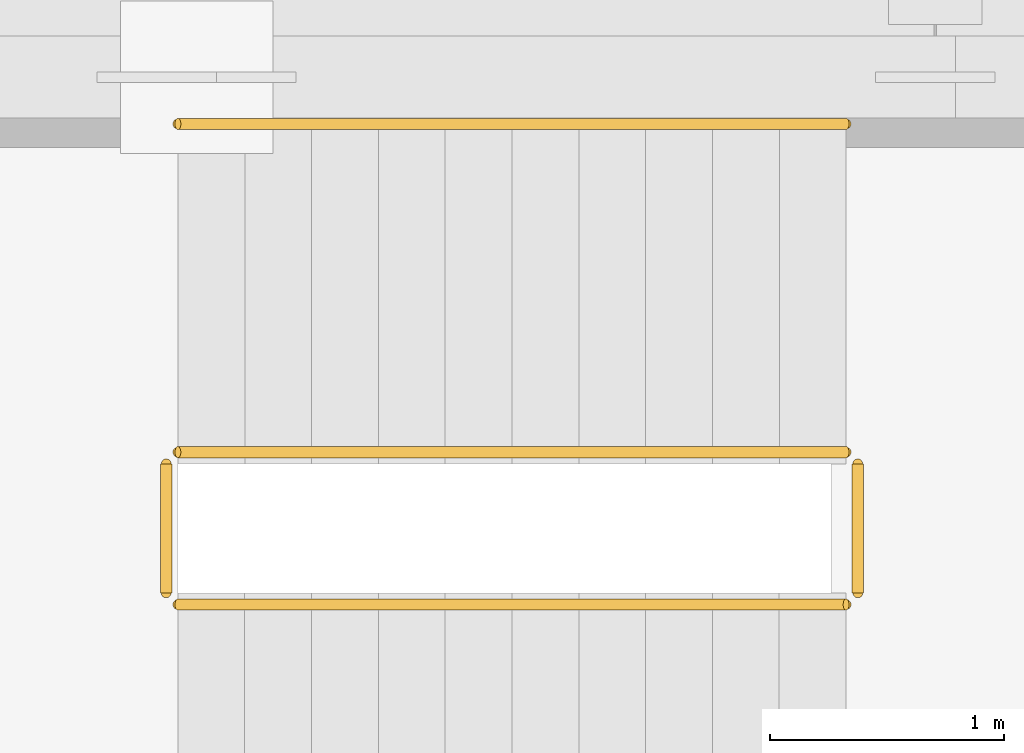
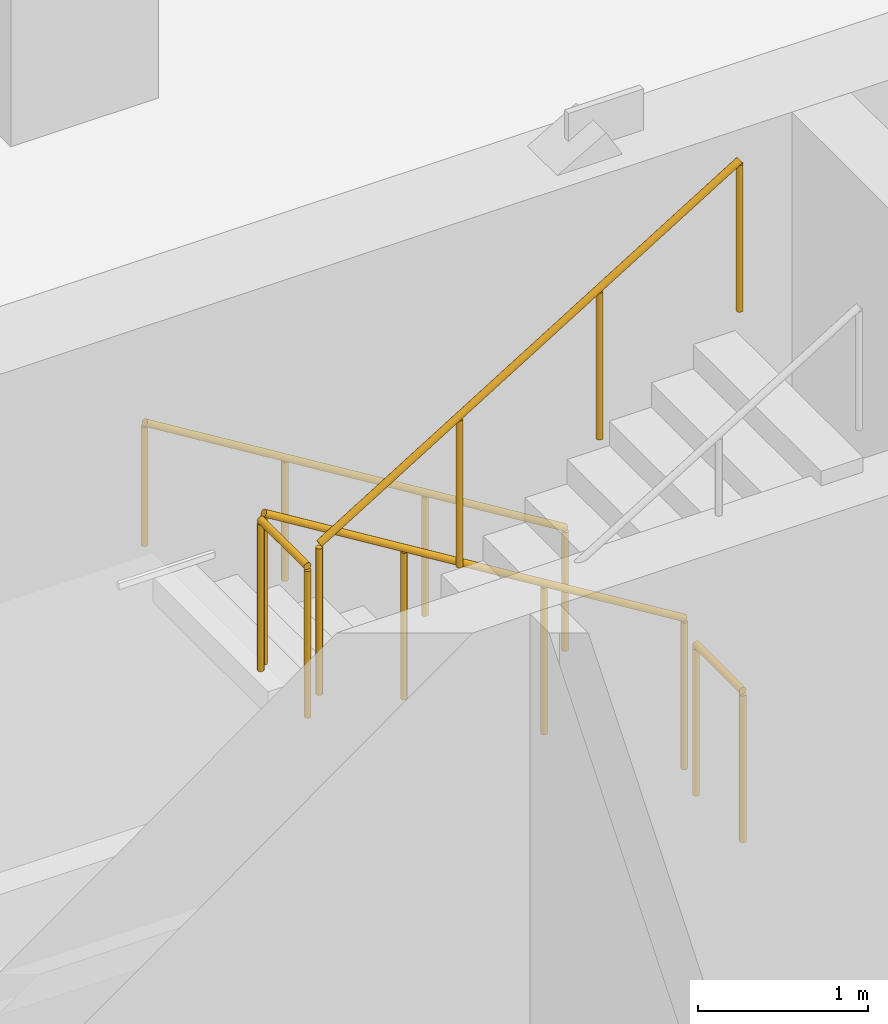
# One storey, part 25 of 25: 5 railings.
"""IFC4 building model written with IfcOpenShell, lengths in metres."""

from ifc_helpers import new_model, si_unit, direction, frame, origin, origin_2d, place, context, subcontext, project, spatial, circle, extrude, material, type_object, element, save


model = new_model("IFC4")

# Units and contexts
model_context = context("Model", 3, precision=1e-05, world=origin(), true_north=direction((0.0, 1.0)))
body_context = subcontext(model_context, "Body", "Model", "MODEL_VIEW")
ifc_project = project(units=[si_unit("LENGTHUNIT", "METRE"), si_unit("AREAUNIT", "SQUARE_METRE"), si_unit("VOLUMEUNIT", "CUBIC_METRE"), si_unit("PLANEANGLEUNIT", "RADIAN"), si_unit("MASSUNIT", "GRAM", prefix="KILO")], contexts=[model_context])

# Site, building, storey
site_placement = place(None, origin())
site = spatial("IfcSite", under=ifc_project, at=site_placement, CompositionType="ELEMENT")
building_placement = place(site_placement, origin())
building = spatial("IfcBuilding", under=site, at=building_placement, Name="Cobrela Telecom Tower", CompositionType="ELEMENT")
storey_placement = place(building_placement, frame((0.0, 0.0, 61.949951171875)))
storey = spatial("IfcBuildingStorey", under=building, at=storey_placement, Name="L15", CompositionType="ELEMENT", Elevation=61.949951171875)

# Railings
ifc_material = material(Name="Steel ASTM A36", Category="steel")
railing_type_1 = type_object("IfcRailingType", Name="RAIL-GUARD-1100", PredefinedType="GUARDRAIL", material=ifc_material)
railing_1_placement = place(storey_placement, frame((6.820068359375, 34.10009765625, 0.175048828125)))
element("IfcRailing", 1, at=railing_1_placement, inside=storey, type_object=railing_type_1, Name="L15 ST1 stair guard 1", PredefinedType="GUARDRAIL", context=body_context, shape_type="SweptSolid", body=[
    extrude(circle(Radius=0.02392578125, at=origin_2d()), frame((0.0, 0.0, 1.076171875), z_axis=(-0.852179220489, 0.0, 0.52325001306), x_axis=(0.0, -1.0, 0.0)), (0.0, 0.0, 1.0), 3.344482421875),
    extrude(circle(Radius=0.02099609375, at=origin_2d()), origin(), (0.0, 0.0, 1.0), 1.052001953125),
    extrude(circle(Radius=0.02099609375, at=origin_2d()), frame((-0.949951171875, 0.0, 0.583251953125)), (0.0, 0.0, 1.0), 1.052001953125),
    extrude(circle(Radius=0.02099609375, at=origin_2d()), frame((-1.900146484375, 0.0, 1.166748046875)), (0.0, 0.0, 1.0), 1.052001953125),
    extrude(circle(Radius=0.02099609375, at=origin_2d()), frame((-2.85009765625, 0.0, 1.75)), (0.0, 0.0, 1.0), 1.052001953125),
])
railing_2_placement = place(storey_placement, frame((3.919921875, 34.050048828125, 1.925048828125)))
element("IfcRailing", 2, at=railing_2_placement, inside=storey, type_object=railing_type_1, Name="L15 ST1 stair guard 2", PredefinedType="GUARDRAIL", context=body_context, shape_type="SweptSolid", body=[
    extrude(circle(Radius=0.02392578125, at=origin_2d()), frame((0.0, 0.0, 1.076171875), z_axis=(0.0, -1.0, 0.0), x_axis=(1.0, 0.0, 0.0)), (0.0, 0.0, 1.0), 0.550048828125),
    extrude(circle(Radius=0.02099609375, at=origin_2d()), origin(), (0.0, 0.0, 1.0), 1.052001953125),
    extrude(circle(Radius=0.02099609375, at=origin_2d()), frame((0.0, -0.550048828125, 0.0)), (0.0, 0.0, 1.0), 1.052001953125),
])
railing_3_placement = place(storey_placement, frame((3.969970703125, 33.449951171875, 2.10009765625)))
element("IfcRailing", 3, at=railing_3_placement, inside=storey, type_object=railing_type_1, Name="L15 ST1 stair guard 4", PredefinedType="GUARDRAIL", context=body_context, shape_type="SweptSolid", body=[
    extrude(circle(Radius=0.02392578125, at=origin_2d()), frame((0.0, 0.0, 1.076171875), z_axis=(0.852179220489, 0.0, 0.52325001306), x_axis=(0.0, 1.0, 0.0)), (0.0, 0.0, 1.0), 3.344482421875),
    extrude(circle(Radius=0.02099609375, at=origin_2d()), origin(), (0.0, 0.0, 1.0), 1.052001953125),
    extrude(circle(Radius=0.02099609375, at=origin_2d()), frame((0.949951171875, 0.0, 0.583251953125)), (0.0, 0.0, 1.0), 1.052001953125),
    extrude(circle(Radius=0.02099609375, at=origin_2d()), frame((1.900146484375, 0.0, 1.166748046875)), (0.0, 0.0, 1.0), 1.052001953125),
    extrude(circle(Radius=0.02099609375, at=origin_2d()), frame((2.85009765625, 0.0, 1.75)), (0.0, 0.0, 1.0), 1.052001953125),
])
railing_4_placement = place(storey_placement, frame((6.8701171875, 34.050048828125, 0.0)))
element("IfcRailing", 4, at=railing_4_placement, inside=storey, type_object=railing_type_1, Name="L15 ST1 stair guard 5", PredefinedType="GUARDRAIL", context=body_context, shape_type="SweptSolid", body=[
    extrude(circle(Radius=0.02392578125, at=origin_2d()), frame((0.0, 0.0, 1.076171875), z_axis=(0.0, -1.0, 0.0), x_axis=(1.0, 0.0, 0.0)), (0.0, 0.0, 1.0), 0.550048828125),
    extrude(circle(Radius=0.02099609375, at=origin_2d()), origin(), (0.0, 0.0, 1.0), 1.052001953125),
    extrude(circle(Radius=0.02099609375, at=origin_2d()), frame((0.0, -0.550048828125, 0.0)), (0.0, 0.0, 1.0), 1.052001953125),
])
railing_type_2 = type_object("IfcRailingType", Name="RAIL-HAND-920", PredefinedType="HANDRAIL", material=ifc_material)
railing_5_placement = place(storey_placement, frame((6.820068359375, 35.5, 0.175048828125)))
element("IfcRailing", 5, at=railing_5_placement, inside=storey, type_object=railing_type_2, Name="L15 ST1 stair handrail 1", PredefinedType="HANDRAIL", context=body_context, shape_type="SweptSolid", body=[
    extrude(circle(Radius=0.02392578125, at=origin_2d()), frame((0.0, 0.0, 0.8759765625), z_axis=(-0.852179220489, 0.0, 0.52325001306), x_axis=(0.0, -1.0, 0.0)), (0.0, 0.0, 1.0), 3.344482421875),
    extrude(circle(Radius=0.02099609375, at=origin_2d()), origin(), (0.0, 0.0, 1.0), 0.851806640625),
    extrude(circle(Radius=0.02099609375, at=origin_2d()), frame((-0.949951171875, 0.0, 0.583251953125)), (0.0, 0.0, 1.0), 0.851806640625),
    extrude(circle(Radius=0.02099609375, at=origin_2d()), frame((-1.900146484375, 0.0, 1.166748046875)), (0.0, 0.0, 1.0), 0.851806640625),
    extrude(circle(Radius=0.02099609375, at=origin_2d()), frame((-2.85009765625, 0.0, 1.75)), (0.0, 0.0, 1.0), 0.851806640625),
])

save(model, "model.ifc")
